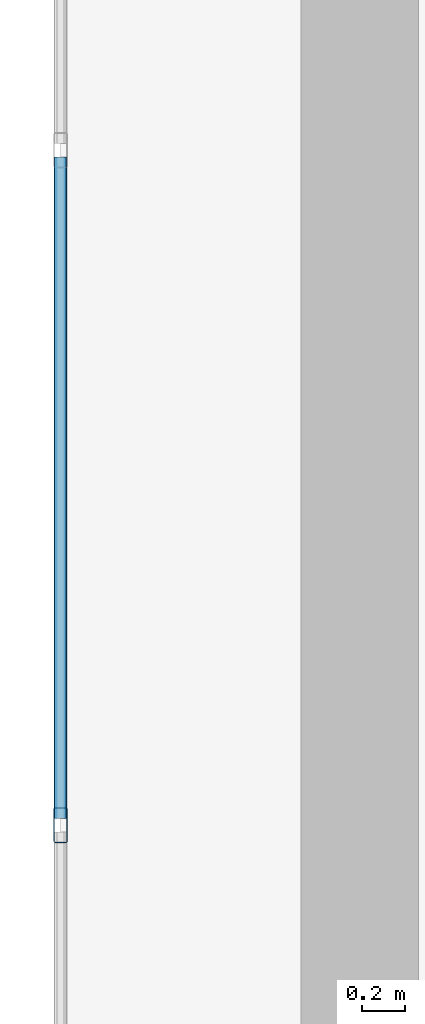
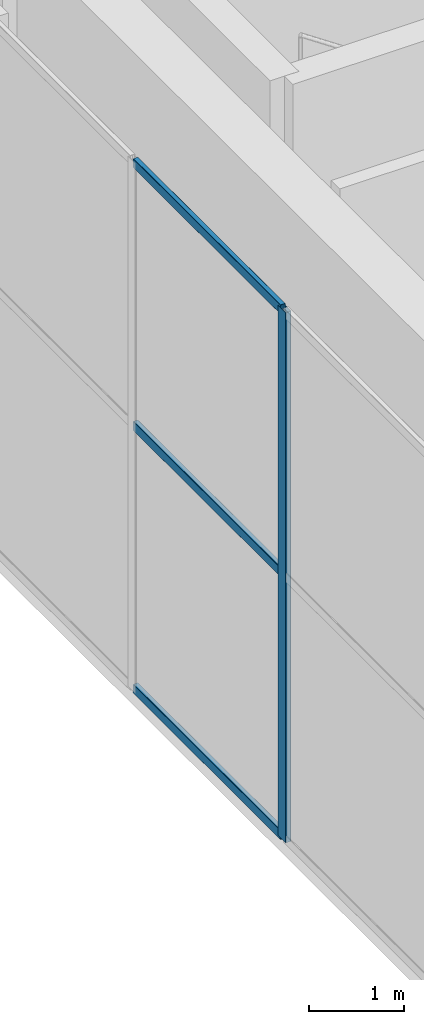
# One storey, part 7 of 23: 4 members, 1 element without a shape of its own.
"""IFC4 building model written with IfcOpenShell, lengths in metres."""

import ifcopenshell
import ifcopenshell.guid

model = None  # the IFC model being written
_history = None  # IfcOwnerHistory: only IFC2X3 demands one
_inside = {}  # id of a spatial element -> (the spatial element, [elements in it])
_under = {}  # id of a project, library or spatial element -> (it, [spatial elements below it])
_declared = {}  # id of a project -> (the project, [libraries it declares])
_typed = {}  # id of a type object -> (the type object, [elements of that type])
_made_of = {}  # id of a material, layer set ... -> (it, [elements and type objects made of it])


def new_model(schema):
    """Start an empty IFC model of exactly this schema.

    Asked for "IFC4X3", IfcOpenShell would pick the latest addendum, in which some entities
    have other attributes; the version numbers below select the first issue.
    IFC2X3 requires an IfcOwnerHistory on every rooted entity: one is made here for all.
    """
    global model, _history
    if schema == "IFC4X3":
        model = ifcopenshell.file(schema_version=(4, 3, 0, 0))
    else:
        model = ifcopenshell.file(schema=schema)
    _inside.clear()
    _under.clear()
    _declared.clear()
    _typed.clear()
    _made_of.clear()
    _history = None
    if model.schema == "IFC2X3":
        org = make("IfcOrganization", Name="unknown")
        user = make(
            "IfcPersonAndOrganization",
            ThePerson=make("IfcPerson", FamilyName="unknown"),
            TheOrganization=org,
        )
        app = make(
            "IfcApplication",
            ApplicationDeveloper=org,
            Version="unknown",
            ApplicationFullName="unknown",
            ApplicationIdentifier="unknown",
        )
        _history = make(
            "IfcOwnerHistory",
            OwningUser=user,
            OwningApplication=app,
            ChangeAction="ADDED",
            CreationDate=0,
        )
    return model


def make(cls, **values):
    """One entity of the class cls with the attributes given. An attribute that is None is left unset."""
    return model.create_entity(
        cls, **{name: value for name, value in values.items() if value is not None}
    )


def rooted(cls, **values):
    """An entity with a GlobalId (a new one), such as an element, a storey or a relation."""
    return make(cls, GlobalId=ifcopenshell.guid.new(), OwnerHistory=_history, **values)


def si_unit(unit_type, name, prefix=None):
    """IfcSIUnit, for example si_unit("LENGTHUNIT", "METRE", prefix="MILLI")."""
    return make("IfcSIUnit", UnitType=unit_type, Prefix=prefix, Name=name)


def assignment(units):
    """IfcUnitAssignment: the units of a project."""
    return None if units is None else make("IfcUnitAssignment", Units=units)


def point(xyz):
    """IfcCartesianPoint."""
    return None if xyz is None else make("IfcCartesianPoint", Coordinates=xyz)


def direction(xyz):
    """IfcDirection."""
    return None if xyz is None else make("IfcDirection", DirectionRatios=xyz)


def frame(location, z_axis=None, x_axis=None):
    """IfcAxis2Placement3D, a coordinate frame: its origin and axes. An axis left out is left unset."""
    return make(
        "IfcAxis2Placement3D",
        Location=point(location),
        Axis=direction(z_axis),
        RefDirection=direction(x_axis),
    )


def frame_2d(location, x_axis=None):
    """IfcAxis2Placement2D, a coordinate frame in the plane: its origin and x axis."""
    return make(
        "IfcAxis2Placement2D", Location=point(location), RefDirection=direction(x_axis)
    )


def origin():
    """The frame at (0, 0, 0) with its axes left unset."""
    return frame((0.0, 0.0, 0.0))


def origin_2d():
    """The frame at (0, 0) in the plane with its x axis left unset."""
    return frame_2d((0.0, 0.0))


def place(relative_to, where):
    """IfcLocalPlacement: puts the frame where relative to a parent placement (None: the world)."""
    return make(
        "IfcLocalPlacement", PlacementRelTo=relative_to, RelativePlacement=where
    )


def context(
    kind, dimensions, precision=None, world=None, true_north=None, identifier=None
):
    """IfcGeometricRepresentationContext, for example the 3D "Model" context."""
    return make(
        "IfcGeometricRepresentationContext",
        ContextIdentifier=identifier,
        ContextType=kind,
        CoordinateSpaceDimension=dimensions,
        Precision=precision,
        WorldCoordinateSystem=world,
        TrueNorth=true_north,
    )


def subcontext(parent, identifier, kind, view, scale=None):
    """IfcGeometricRepresentationSubContext, for example "Body" below "Model"."""
    return make(
        "IfcGeometricRepresentationSubContext",
        ContextIdentifier=identifier,
        ContextType=kind,
        ParentContext=parent,
        TargetScale=scale,
        TargetView=view,
    )


def project(units=None, contexts=None):
    """IfcProject with its units and contexts."""
    return rooted(
        "IfcProject",
        Name="project",
        RepresentationContexts=contexts,
        UnitsInContext=assignment(units),
    )


def spatial(cls, under=None, at=None, **own):
    """A site, building, storey or space (cls), placed at a placement, below another one or the project."""
    s = rooted(cls, ObjectPlacement=at, **own)
    if under is not None:
        _under.setdefault(under.id(), (under, []))[1].append(s)
    return s


def profile(cls, at=None, kind="AREA", **sizes):
    """A parametric profile (cls). Its sizes go by their IFC names, for example OverallWidth=200.0."""
    return make(cls, ProfileType=kind, Position=at, **sizes)


def hollow_rectangle(**sizes):
    """IfcRectangleHollowProfileDef."""
    return profile("IfcRectangleHollowProfileDef", **sizes)


def extrude(swept, where, along, depth):
    """IfcExtrudedAreaSolid: the profile swept, set in the frame where, extruded along a direction by depth."""
    return make(
        "IfcExtrudedAreaSolid",
        SweptArea=swept,
        Position=where,
        ExtrudedDirection=direction(along),
        Depth=depth,
    )


def shape(context_of_items, identifier, shape_type, items):
    """IfcShapeRepresentation: the items that make up one representation, for example the "Body"."""
    return make(
        "IfcShapeRepresentation",
        ContextOfItems=context_of_items,
        RepresentationIdentifier=identifier,
        RepresentationType=shape_type,
        Items=items,
    )


def material(Name=None, Category=None):
    """IfcMaterial."""
    return make("IfcMaterial", Name=Name, Category=Category)


def layer(
    of_material, thickness, ventilated=None, Name=None, Category=None, Priority=None
):
    """IfcMaterialLayer: one layer of a wall or slab, of a material (None: an air gap)."""
    return make(
        "IfcMaterialLayer",
        Material=of_material,
        LayerThickness=thickness,
        IsVentilated=ventilated,
        Name=Name,
        Category=Category,
        Priority=Priority,
    )


def layer_set(layers, Name=None):
    """IfcMaterialLayerSet."""
    return make("IfcMaterialLayerSet", MaterialLayers=layers, LayerSetName=Name)


def material_profile(
    of_material, cross_section, Name=None, Category=None, Priority=None
):
    """IfcMaterialProfile: a cross section and its material."""
    return make(
        "IfcMaterialProfile",
        Name=Name,
        Material=of_material,
        Profile=cross_section,
        Priority=Priority,
        Category=Category,
    )


def profile_set(profiles, Name=None, composite=None):
    """IfcMaterialProfileSet."""
    return make(
        "IfcMaterialProfileSet",
        Name=Name,
        MaterialProfiles=profiles,
        CompositeProfile=composite,
    )


def made_of(thing, what):
    """Note that an element or type object is made of a material, layer set ...; save() writes the relation."""
    if what is not None:
        _made_of.setdefault(what.id(), (what, []))[1].append(thing)
    return thing


def type_object(cls, material=None, **own):
    """A type object (cls), such as IfcWallType, which elements share."""
    return made_of(rooted(cls, **own), material)


def element(
    cls,
    number,
    at=None,
    inside=None,
    cuts=None,
    type_object=None,
    material=None,
    context=None,
    identifier="Body",
    shape_type=None,
    held_by="IfcProductDefinitionShape",
    body=None,
    shapes=None,
    **own,
):
    """One element of the class cls, such as IfcWall. Its Tag is "e" and its number.

    at: its placement. inside: the storey or other place that contains it. cuts: it is an
    opening in that element (IfcRelVoidsElement). A single representation is given by context,
    identifier, shape_type and body (its items); several are given by shapes. held_by: the class
    of the entity that holds the representations. save() writes the other relations.
    """
    e = rooted(cls, Tag="e%d" % number, ObjectPlacement=at, **own)
    if body is not None:
        shapes = [shape(context, identifier, shape_type, body)]
    if shapes is not None:
        e.Representation = make(held_by, Representations=shapes)
    if inside is not None:
        _inside.setdefault(inside.id(), (inside, []))[1].append(e)
    if cuts is not None:
        rooted(
            "IfcRelVoidsElement", RelatingBuildingElement=cuts, RelatedOpeningElement=e
        )
    if type_object is not None:
        _typed.setdefault(type_object.id(), (type_object, []))[1].append(e)
    return made_of(e, material)


def aggregate(whole, parts):
    """IfcRelAggregates: a whole, such as a stair, and the parts it consists of."""
    return rooted("IfcRelAggregates", RelatingObject=whole, RelatedObjects=parts)


def save(model, path):
    """Write the relations noted so far, then the file.

    IfcRelAggregates (storeys below a building ...), IfcRelContainedInSpatialStructure (elements
    in a storey), IfcRelDefinesByType, IfcRelAssociatesMaterial and IfcRelDeclares: one each for
    every whole, place, type object, material and project.
    """
    for whole, parts in _under.values():
        aggregate(whole, parts)
    for where, things in _inside.values():
        rooted(
            "IfcRelContainedInSpatialStructure",
            RelatedElements=things,
            RelatingStructure=where,
        )
    for kind, things in _typed.values():
        rooted("IfcRelDefinesByType", RelatedObjects=things, RelatingType=kind)
    for what, things in _made_of.values():
        rooted("IfcRelAssociatesMaterial", RelatedObjects=things, RelatingMaterial=what)
    for by, libraries in _declared.values():
        rooted("IfcRelDeclares", RelatingContext=by, RelatedDefinitions=libraries)
    model.write(path)


model = new_model("IFC4")

# Units and contexts
model_context = context("Model", 3, precision=1e-05, world=origin(), true_north=direction((0.0, 1.0)))
body_context = subcontext(model_context, "Body", "Model", "MODEL_VIEW")
ifc_project = project(units=[si_unit("LENGTHUNIT", "METRE"), si_unit("AREAUNIT", "SQUARE_METRE"), si_unit("VOLUMEUNIT", "CUBIC_METRE"), si_unit("PLANEANGLEUNIT", "RADIAN"), si_unit("MASSUNIT", "GRAM", prefix="KILO")], contexts=[model_context])

# Site, building, storey
site_placement = place(None, origin())
site = spatial("IfcSite", under=ifc_project, at=site_placement, CompositionType="ELEMENT")
building_placement = place(site_placement, origin())
building = spatial("IfcBuilding", under=site, at=building_placement, Name="An Khanh Terracotta Commons", CompositionType="ELEMENT")
storey_placement = place(building_placement, frame((0.0, 0.0, 322.0)))
storey = spatial("IfcBuildingStorey", under=building, at=storey_placement, Name="L81 Crown Heat-Recovery Plant", CompositionType="ELEMENT", Elevation=322.0)

# Curtain wall, members
ifc_material = material(Name="Anodised Aluminium 6063-T6", Category="aluminium")
ifc_layer = layer(ifc_material, 0.18994140625, Name="Anodised Aluminium 6063-T6")
ifc_layer_set = layer_set([ifc_layer], Name="Anodised Aluminium 6063-T6")
curtain_wall_type = type_object("IfcCurtainWallType", Name="CW-SYS-06", PredefinedType="USERDEFINED", material=ifc_layer_set)
curtain_wall_placement = place(storey_placement, origin())
curtain_wall = element("IfcCurtainWall", 1, at=curtain_wall_placement, inside=storey, type_object=curtain_wall_type, Name="L81 Crown Heat-Recovery Plant CW-06 Unitised Curtain Wall CW-L81-24", ObjectType="UNITISED CURTAIN WALL", PredefinedType="USERDEFINED")
ifc_material_profile_1 = material_profile(ifc_material, hollow_rectangle(XDim=0.06494140625, YDim=0.1650390625, WallThickness=0.00390625, InnerFilletRadius=0.00390625, OuterFilletRadius=0.008056640625, at=origin_2d()), Name="RHS165x65x4")
ifc_profile_set_1 = profile_set([ifc_material_profile_1], Name="Anodised Aluminium 6063-T6")
member_type_1 = type_object("IfcMemberType", Name="CWM-RHS165x65x4", PredefinedType="MULLION", material=ifc_profile_set_1)
member_1_placement = place(storey_placement, frame((20.199951171875, 25.580078125, 0.0), z_axis=(0.0, 0.0, 1.0), x_axis=(1.0, 0.0, 0.0)))
member_1 = element("IfcMember", 2, at=member_1_placement, type_object=member_type_1, Name="CW-06 mullion 3", PredefinedType="MULLION", context=body_context, shape_type="SweptSolid", body=[
    extrude(hollow_rectangle(XDim=0.06494140625, YDim=0.1650390625, WallThickness=0.00390625, InnerFilletRadius=0.00390625, OuterFilletRadius=0.008056640625, at=origin_2d()), origin(), (0.0, 0.0, 1.0), 6.800048828125),
])
ifc_material_profile_2 = material_profile(ifc_material, hollow_rectangle(XDim=0.06005859375, YDim=0.1201171875, WallThickness=0.003662109375, InnerFilletRadius=0.003662109375, OuterFilletRadius=0.007080078125, at=origin_2d()), Name="RHS120x60x3.6")
ifc_profile_set_2 = profile_set([ifc_material_profile_2], Name="Anodised Aluminium 6063-T6")
member_type_2 = type_object("IfcMemberType", Name="CWT-RHS120x60x3.6", PredefinedType="USERDEFINED", material=ifc_profile_set_2)
member_2_placement = place(storey_placement, frame((20.199951171875, 28.70751953125, 0.030029296875), z_axis=(0.0, -1.0, 0.0), x_axis=(1.0, 0.0, 0.0)))
member_2 = element("IfcMember", 3, at=member_2_placement, type_object=member_type_2, Name="CW-06 transom 2.1", ObjectType="TRANSOM", PredefinedType="USERDEFINED", context=body_context, shape_type="SweptSolid", body=[
    extrude(hollow_rectangle(XDim=0.06005859375, YDim=0.1201171875, WallThickness=0.003662109375, InnerFilletRadius=0.003662109375, OuterFilletRadius=0.007080078125, at=origin_2d()), origin(), (0.0, 0.0, 1.0), 3.094970703125),
])
member_3_placement = place(storey_placement, frame((20.199951171875, 28.70751953125, 3.39990234375), z_axis=(0.0, -1.0, 0.0), x_axis=(1.0, 0.0, 0.0)))
member_3 = element("IfcMember", 4, at=member_3_placement, type_object=member_type_2, Name="CW-06 transom 2.2", ObjectType="TRANSOM", PredefinedType="USERDEFINED", context=body_context, shape_type="SweptSolid", body=[
    extrude(hollow_rectangle(XDim=0.06005859375, YDim=0.1201171875, WallThickness=0.003662109375, InnerFilletRadius=0.003662109375, OuterFilletRadius=0.007080078125, at=origin_2d()), origin(), (0.0, 0.0, 1.0), 3.094970703125),
])
member_4_placement = place(storey_placement, frame((20.199951171875, 28.70751953125, 6.77001953125), z_axis=(0.0, -1.0, 0.0), x_axis=(1.0, 0.0, 0.0)))
member_4 = element("IfcMember", 5, at=member_4_placement, type_object=member_type_2, Name="CW-06 transom 2.3", ObjectType="TRANSOM", PredefinedType="USERDEFINED", context=body_context, shape_type="SweptSolid", body=[
    extrude(hollow_rectangle(XDim=0.06005859375, YDim=0.1201171875, WallThickness=0.003662109375, InnerFilletRadius=0.003662109375, OuterFilletRadius=0.007080078125, at=origin_2d()), origin(), (0.0, 0.0, 1.0), 3.094970703125),
])
aggregate(curtain_wall, [member_1, member_2, member_3, member_4])

save(model, "model.ifc")
